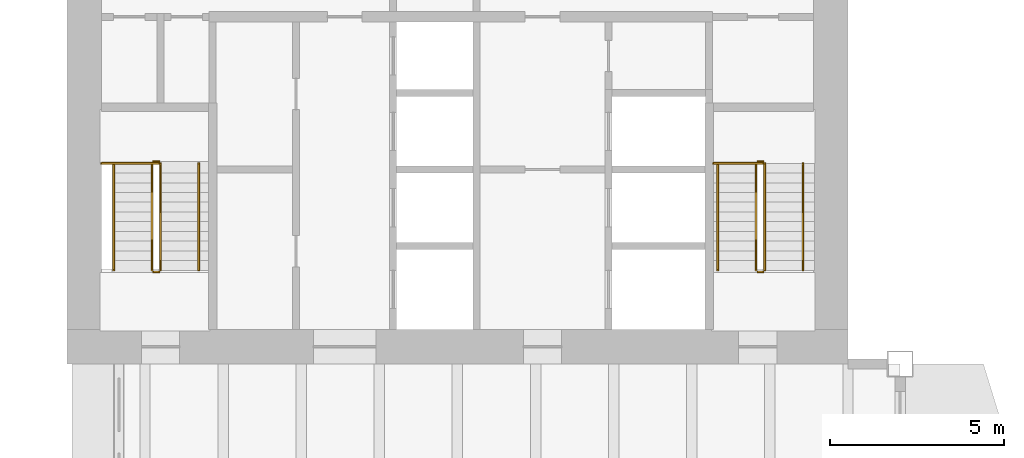
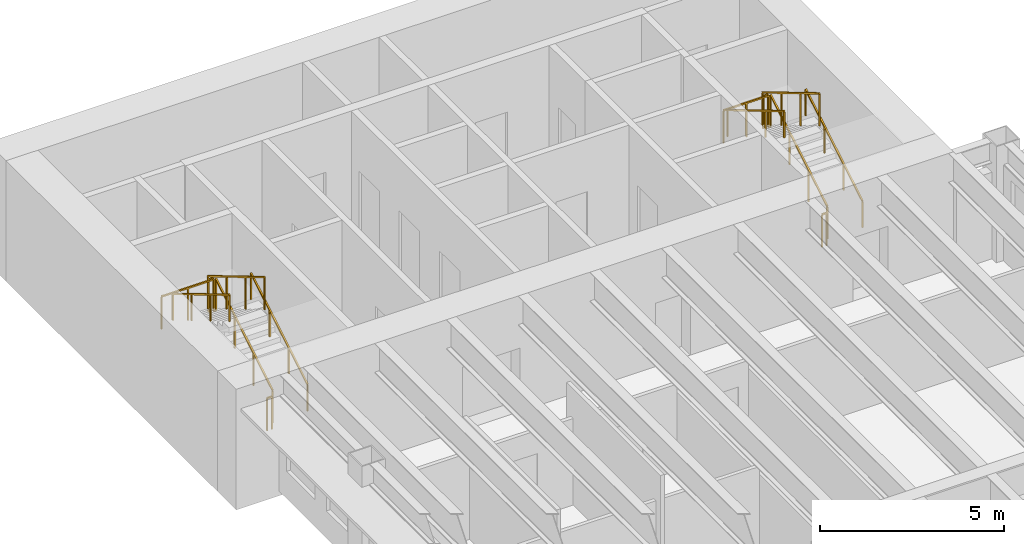
# One storey, part 16 of 16: 14 railings.
"""IFC4 building model written with IfcOpenShell, lengths in metres."""

from ifc_helpers import new_model, si_unit, direction, frame, origin, origin_2d, place, context, subcontext, project, spatial, rectangle, extrude, material, type_object, element, save


model = new_model("IFC4")

# Units and contexts
model_context = context("Model", 3, precision=1e-05, world=origin(), true_north=direction((0.0, 1.0)))
body_context = subcontext(model_context, "Body", "Model", "MODEL_VIEW")
ifc_project = project(units=[si_unit("LENGTHUNIT", "METRE"), si_unit("AREAUNIT", "SQUARE_METRE"), si_unit("VOLUMEUNIT", "CUBIC_METRE"), si_unit("PLANEANGLEUNIT", "RADIAN"), si_unit("MASSUNIT", "GRAM", prefix="KILO")], contexts=[model_context])

# Site, building, storey
site_placement = place(None, origin())
site = spatial("IfcSite", under=ifc_project, at=site_placement, CompositionType="ELEMENT")
building_placement = place(site_placement, origin())
building = spatial("IfcBuilding", under=site, at=building_placement, Name="Sennacour Bend Tower", CompositionType="ELEMENT")
storey_placement = place(building_placement, frame((0.0, 0.0, 207.0)))
storey = spatial("IfcBuildingStorey", under=building, at=storey_placement, Name="L47", CompositionType="ELEMENT", Elevation=207.0)

# Railings
ifc_material = material(Name="Stainless steel", Category="steel")
railing_type_1 = type_object("IfcRailingType", Name="RL-GUARD-1100", PredefinedType="GUARDRAIL", material=ifc_material)
railing_1_placement = place(storey_placement, frame((2.699951171875, 38.699951171875, 0.166748046875)))
element("IfcRailing", 1, at=railing_1_placement, inside=storey, type_object=railing_type_1, Name="L47 SB1 stair guard 1", PredefinedType="GUARDRAIL", context=body_context, shape_type="SweptSolid", body=[
    extrude(rectangle(XDim=0.048095703125, YDim=0.048095703125, at=origin_2d()), frame((0.0, 0.0, 1.076171875), z_axis=(0.0, 0.859308565015, 0.511457515432), x_axis=(-1.0, 0.0, 0.0)), (0.0, 0.0, 1.0), 3.58447265625),
    extrude(rectangle(XDim=0.0419921875, YDim=0.0419921875, at=origin_2d()), origin(), (0.0, 0.0, 1.0), 1.052001953125),
    extrude(rectangle(XDim=0.0419921875, YDim=0.0419921875, at=origin_2d()), frame((0.0, 1.026611328125, 0.611083984375)), (0.0, 0.0, 1.0), 1.052001953125),
    extrude(rectangle(XDim=0.0419921875, YDim=0.0419921875, at=origin_2d()), frame((0.0, 2.053466796875, 1.22216796875)), (0.0, 0.0, 1.0), 1.052001953125),
    extrude(rectangle(XDim=0.0419921875, YDim=0.0419921875, at=origin_2d()), frame((0.0, 3.080078125, 1.833251953125)), (0.0, 0.0, 1.0), 1.052001953125),
])
railing_2_placement = place(storey_placement, frame((2.64990234375, 41.830078125, 2.0)))
element("IfcRailing", 2, at=railing_2_placement, inside=storey, type_object=railing_type_1, Name="L47 SB1 stair guard 2", PredefinedType="GUARDRAIL", context=body_context, shape_type="SweptSolid", body=[
    extrude(rectangle(XDim=0.048095703125, YDim=0.048095703125, at=origin_2d()), frame((0.0, 0.0, 1.076171875), z_axis=(-1.0, 0.0, 0.0), x_axis=(0.0, -1.0, 0.0)), (0.0, 0.0, 1.0), 0.14990234375),
    extrude(rectangle(XDim=0.0419921875, YDim=0.0419921875, at=origin_2d()), origin(), (0.0, 0.0, 1.0), 1.052001953125),
    extrude(rectangle(XDim=0.0419921875, YDim=0.0419921875, at=origin_2d()), frame((-0.14990234375, 0.0, 0.0)), (0.0, 0.0, 1.0), 1.052001953125),
])
railing_3_placement = place(storey_placement, frame((2.449951171875, 41.780029296875, 2.166748046875)))
element("IfcRailing", 3, at=railing_3_placement, inside=storey, type_object=railing_type_1, Name="L47 SB1 stair guard 4", PredefinedType="GUARDRAIL", context=body_context, shape_type="SweptSolid", body=[
    extrude(rectangle(XDim=0.048095703125, YDim=0.048095703125, at=origin_2d()), frame((0.0, 0.0, 1.076171875), z_axis=(0.0, -0.859308565015, 0.511457515432), x_axis=(1.0, 0.0, 0.0)), (0.0, 0.0, 1.0), 3.58447265625),
    extrude(rectangle(XDim=0.0419921875, YDim=0.0419921875, at=origin_2d()), origin(), (0.0, 0.0, 1.0), 1.052001953125),
    extrude(rectangle(XDim=0.0419921875, YDim=0.0419921875, at=origin_2d()), frame((0.0, -1.026611328125, 0.611083984375)), (0.0, 0.0, 1.0), 1.052001953125),
    extrude(rectangle(XDim=0.0419921875, YDim=0.0419921875, at=origin_2d()), frame((0.0, -2.053466796875, 1.22216796875)), (0.0, 0.0, 1.0), 1.052001953125),
    extrude(rectangle(XDim=0.0419921875, YDim=0.0419921875, at=origin_2d()), frame((0.0, -3.080078125, 1.833251953125)), (0.0, 0.0, 1.0), 1.052001953125),
])
railing_4_placement = place(storey_placement, frame((2.64990234375, 38.64990234375, 0.0)))
element("IfcRailing", 4, at=railing_4_placement, inside=storey, type_object=railing_type_1, Name="L47 SB1 stair guard 5", PredefinedType="GUARDRAIL", context=body_context, shape_type="SweptSolid", body=[
    extrude(rectangle(XDim=0.048095703125, YDim=0.048095703125, at=origin_2d()), frame((0.0, 0.0, 1.076171875), z_axis=(-1.0, 0.0, 0.0), x_axis=(0.0, -1.0, 0.0)), (0.0, 0.0, 1.0), 0.14990234375),
    extrude(rectangle(XDim=0.0419921875, YDim=0.0419921875, at=origin_2d()), origin(), (0.0, 0.0, 1.0), 1.052001953125),
    extrude(rectangle(XDim=0.0419921875, YDim=0.0419921875, at=origin_2d()), frame((-0.14990234375, 0.0, 0.0)), (0.0, 0.0, 1.0), 1.052001953125),
])
railing_5_placement = place(storey_placement, frame((2.64990234375, 41.780029296875, 2.0)))
element("IfcRailing", 5, at=railing_5_placement, inside=storey, type_object=railing_type_1, Name="L47 SB1 landing edge guard 75", PredefinedType="GUARDRAIL", context=body_context, shape_type="SweptSolid", body=[
    extrude(rectangle(XDim=0.048095703125, YDim=0.048095703125, at=origin_2d()), frame((0.0, 0.0, 1.076171875), z_axis=(-1.0, 0.0, 0.0), x_axis=(0.0, -1.0, 0.0)), (0.0, 0.0, 1.0), 1.64990234375),
    extrude(rectangle(XDim=0.0419921875, YDim=0.0419921875, at=origin_2d()), origin(), (0.0, 0.0, 1.0), 1.052001953125),
    extrude(rectangle(XDim=0.0419921875, YDim=0.0419921875, at=origin_2d()), frame((-0.824951171875, 0.0, 0.0)), (0.0, 0.0, 1.0), 1.052001953125),
    extrude(rectangle(XDim=0.0419921875, YDim=0.0419921875, at=origin_2d()), frame((-1.64990234375, 0.0, 0.0)), (0.0, 0.0, 1.0), 1.052001953125),
])
railing_6_placement = place(storey_placement, frame((20.10009765625, 38.699951171875, 0.166748046875)))
element("IfcRailing", 6, at=railing_6_placement, inside=storey, type_object=railing_type_1, Name="L47 SB2 stair guard 1", PredefinedType="GUARDRAIL", context=body_context, shape_type="SweptSolid", body=[
    extrude(rectangle(XDim=0.048095703125, YDim=0.048095703125, at=origin_2d()), frame((0.0, 0.0, 1.076171875), z_axis=(0.0, 0.859308565015, 0.511457515432), x_axis=(-1.0, 0.0, 0.0)), (0.0, 0.0, 1.0), 3.58447265625),
    extrude(rectangle(XDim=0.0419921875, YDim=0.0419921875, at=origin_2d()), origin(), (0.0, 0.0, 1.0), 1.052001953125),
    extrude(rectangle(XDim=0.0419921875, YDim=0.0419921875, at=origin_2d()), frame((0.0, 1.026611328125, 0.611083984375)), (0.0, 0.0, 1.0), 1.052001953125),
    extrude(rectangle(XDim=0.0419921875, YDim=0.0419921875, at=origin_2d()), frame((0.0, 2.053466796875, 1.22216796875)), (0.0, 0.0, 1.0), 1.052001953125),
    extrude(rectangle(XDim=0.0419921875, YDim=0.0419921875, at=origin_2d()), frame((0.0, 3.080078125, 1.833251953125)), (0.0, 0.0, 1.0), 1.052001953125),
])
railing_7_placement = place(storey_placement, frame((20.050048828125, 41.830078125, 2.0)))
element("IfcRailing", 7, at=railing_7_placement, inside=storey, type_object=railing_type_1, Name="L47 SB2 stair guard 2", PredefinedType="GUARDRAIL", context=body_context, shape_type="SweptSolid", body=[
    extrude(rectangle(XDim=0.048095703125, YDim=0.048095703125, at=origin_2d()), frame((0.0, 0.0, 1.076171875), z_axis=(-1.0, 0.0, 0.0), x_axis=(0.0, -1.0, 0.0)), (0.0, 0.0, 1.0), 0.150146484375),
    extrude(rectangle(XDim=0.0419921875, YDim=0.0419921875, at=origin_2d()), origin(), (0.0, 0.0, 1.0), 1.052001953125),
    extrude(rectangle(XDim=0.0419921875, YDim=0.0419921875, at=origin_2d()), frame((-0.150146484375, 0.0, 0.0)), (0.0, 0.0, 1.0), 1.052001953125),
])
railing_8_placement = place(storey_placement, frame((19.85009765625, 41.780029296875, 2.166748046875)))
element("IfcRailing", 8, at=railing_8_placement, inside=storey, type_object=railing_type_1, Name="L47 SB2 stair guard 4", PredefinedType="GUARDRAIL", context=body_context, shape_type="SweptSolid", body=[
    extrude(rectangle(XDim=0.048095703125, YDim=0.048095703125, at=origin_2d()), frame((0.0, 0.0, 1.076171875), z_axis=(0.0, -0.859308565015, 0.511457515432), x_axis=(1.0, 0.0, 0.0)), (0.0, 0.0, 1.0), 3.58447265625),
    extrude(rectangle(XDim=0.0419921875, YDim=0.0419921875, at=origin_2d()), origin(), (0.0, 0.0, 1.0), 1.052001953125),
    extrude(rectangle(XDim=0.0419921875, YDim=0.0419921875, at=origin_2d()), frame((0.0, -1.026611328125, 0.611083984375)), (0.0, 0.0, 1.0), 1.052001953125),
    extrude(rectangle(XDim=0.0419921875, YDim=0.0419921875, at=origin_2d()), frame((0.0, -2.053466796875, 1.22216796875)), (0.0, 0.0, 1.0), 1.052001953125),
    extrude(rectangle(XDim=0.0419921875, YDim=0.0419921875, at=origin_2d()), frame((0.0, -3.080078125, 1.833251953125)), (0.0, 0.0, 1.0), 1.052001953125),
])
railing_9_placement = place(storey_placement, frame((20.050048828125, 38.64990234375, 0.0)))
element("IfcRailing", 9, at=railing_9_placement, inside=storey, type_object=railing_type_1, Name="L47 SB2 stair guard 5", PredefinedType="GUARDRAIL", context=body_context, shape_type="SweptSolid", body=[
    extrude(rectangle(XDim=0.048095703125, YDim=0.048095703125, at=origin_2d()), frame((0.0, 0.0, 1.076171875), z_axis=(-1.0, 0.0, 0.0), x_axis=(0.0, -1.0, 0.0)), (0.0, 0.0, 1.0), 0.150146484375),
    extrude(rectangle(XDim=0.0419921875, YDim=0.0419921875, at=origin_2d()), origin(), (0.0, 0.0, 1.0), 1.052001953125),
    extrude(rectangle(XDim=0.0419921875, YDim=0.0419921875, at=origin_2d()), frame((-0.150146484375, 0.0, 0.0)), (0.0, 0.0, 1.0), 1.052001953125),
])
railing_10_placement = place(storey_placement, frame((20.050048828125, 41.780029296875, 2.0)))
element("IfcRailing", 10, at=railing_10_placement, inside=storey, type_object=railing_type_1, Name="L47 SB2 landing edge guard 64", PredefinedType="GUARDRAIL", context=body_context, shape_type="SweptSolid", body=[
    extrude(rectangle(XDim=0.048095703125, YDim=0.048095703125, at=origin_2d()), frame((0.0, 0.0, 1.076171875), z_axis=(-1.0, 0.0, 0.0), x_axis=(0.0, -1.0, 0.0)), (0.0, 0.0, 1.0), 1.425048828125),
    extrude(rectangle(XDim=0.0419921875, YDim=0.0419921875, at=origin_2d()), origin(), (0.0, 0.0, 1.0), 1.052001953125),
    extrude(rectangle(XDim=0.0419921875, YDim=0.0419921875, at=origin_2d()), frame((-0.71240234375, 0.0, 0.0)), (0.0, 0.0, 1.0), 1.052001953125),
    extrude(rectangle(XDim=0.0419921875, YDim=0.0419921875, at=origin_2d()), frame((-1.425048828125, 0.0, 0.0)), (0.0, 0.0, 1.0), 1.052001953125),
])
railing_type_2 = type_object("IfcRailingType", Name="RL-HANDRAIL-900", PredefinedType="HANDRAIL", material=ifc_material)
railing_11_placement = place(storey_placement, frame((3.800048828125, 38.699951171875, 0.166748046875)))
element("IfcRailing", 11, at=railing_11_placement, inside=storey, type_object=railing_type_2, Name="L47 SB1 stair handrail 1", PredefinedType="HANDRAIL", context=body_context, shape_type="SweptSolid", body=[
    extrude(rectangle(XDim=0.048095703125, YDim=0.048095703125, at=origin_2d()), frame((0.0, 0.0, 0.8759765625), z_axis=(0.0, 0.859308565015, 0.511457515432), x_axis=(-1.0, 0.0, 0.0)), (0.0, 0.0, 1.0), 3.58447265625),
    extrude(rectangle(XDim=0.0419921875, YDim=0.0419921875, at=origin_2d()), origin(), (0.0, 0.0, 1.0), 0.851806640625),
    extrude(rectangle(XDim=0.0419921875, YDim=0.0419921875, at=origin_2d()), frame((0.0, 1.026611328125, 0.611083984375)), (0.0, 0.0, 1.0), 0.851806640625),
    extrude(rectangle(XDim=0.0419921875, YDim=0.0419921875, at=origin_2d()), frame((0.0, 2.053466796875, 1.22216796875)), (0.0, 0.0, 1.0), 0.851806640625),
    extrude(rectangle(XDim=0.0419921875, YDim=0.0419921875, at=origin_2d()), frame((0.0, 3.080078125, 1.833251953125)), (0.0, 0.0, 1.0), 0.851806640625),
])
railing_12_placement = place(storey_placement, frame((1.35009765625, 41.780029296875, 2.166748046875)))
element("IfcRailing", 12, at=railing_12_placement, inside=storey, type_object=railing_type_2, Name="L47 SB1 stair handrail 2", PredefinedType="HANDRAIL", context=body_context, shape_type="SweptSolid", body=[
    extrude(rectangle(XDim=0.048095703125, YDim=0.048095703125, at=origin_2d()), frame((0.0, 0.0, 0.8759765625), z_axis=(0.0, -0.859308565015, 0.511457515432), x_axis=(1.0, 0.0, 0.0)), (0.0, 0.0, 1.0), 3.58447265625),
    extrude(rectangle(XDim=0.0419921875, YDim=0.0419921875, at=origin_2d()), origin(), (0.0, 0.0, 1.0), 0.851806640625),
    extrude(rectangle(XDim=0.0419921875, YDim=0.0419921875, at=origin_2d()), frame((0.0, -1.026611328125, 0.611083984375)), (0.0, 0.0, 1.0), 0.851806640625),
    extrude(rectangle(XDim=0.0419921875, YDim=0.0419921875, at=origin_2d()), frame((0.0, -2.053466796875, 1.22216796875)), (0.0, 0.0, 1.0), 0.851806640625),
    extrude(rectangle(XDim=0.0419921875, YDim=0.0419921875, at=origin_2d()), frame((0.0, -3.080078125, 1.833251953125)), (0.0, 0.0, 1.0), 0.851806640625),
])
railing_13_placement = place(storey_placement, frame((21.199951171875, 38.699951171875, 0.166748046875)))
element("IfcRailing", 13, at=railing_13_placement, inside=storey, type_object=railing_type_2, Name="L47 SB2 stair handrail 1", PredefinedType="HANDRAIL", context=body_context, shape_type="SweptSolid", body=[
    extrude(rectangle(XDim=0.048095703125, YDim=0.048095703125, at=origin_2d()), frame((0.0, 0.0, 0.8759765625), z_axis=(0.0, 0.859308565015, 0.511457515432), x_axis=(-1.0, 0.0, 0.0)), (0.0, 0.0, 1.0), 3.58447265625),
    extrude(rectangle(XDim=0.0419921875, YDim=0.0419921875, at=origin_2d()), origin(), (0.0, 0.0, 1.0), 0.851806640625),
    extrude(rectangle(XDim=0.0419921875, YDim=0.0419921875, at=origin_2d()), frame((0.0, 1.026611328125, 0.611083984375)), (0.0, 0.0, 1.0), 0.851806640625),
    extrude(rectangle(XDim=0.0419921875, YDim=0.0419921875, at=origin_2d()), frame((0.0, 2.053466796875, 1.22216796875)), (0.0, 0.0, 1.0), 0.851806640625),
    extrude(rectangle(XDim=0.0419921875, YDim=0.0419921875, at=origin_2d()), frame((0.0, 3.080078125, 1.833251953125)), (0.0, 0.0, 1.0), 0.851806640625),
])
railing_14_placement = place(storey_placement, frame((18.75, 41.780029296875, 2.166748046875)))
element("IfcRailing", 14, at=railing_14_placement, inside=storey, type_object=railing_type_2, Name="L47 SB2 stair handrail 2", PredefinedType="HANDRAIL", context=body_context, shape_type="SweptSolid", body=[
    extrude(rectangle(XDim=0.048095703125, YDim=0.048095703125, at=origin_2d()), frame((0.0, 0.0, 0.8759765625), z_axis=(0.0, -0.859308565015, 0.511457515432), x_axis=(1.0, 0.0, 0.0)), (0.0, 0.0, 1.0), 3.58447265625),
    extrude(rectangle(XDim=0.0419921875, YDim=0.0419921875, at=origin_2d()), origin(), (0.0, 0.0, 1.0), 0.851806640625),
    extrude(rectangle(XDim=0.0419921875, YDim=0.0419921875, at=origin_2d()), frame((0.0, -1.026611328125, 0.611083984375)), (0.0, 0.0, 1.0), 0.851806640625),
    extrude(rectangle(XDim=0.0419921875, YDim=0.0419921875, at=origin_2d()), frame((0.0, -2.053466796875, 1.22216796875)), (0.0, 0.0, 1.0), 0.851806640625),
    extrude(rectangle(XDim=0.0419921875, YDim=0.0419921875, at=origin_2d()), frame((0.0, -3.080078125, 1.833251953125)), (0.0, 0.0, 1.0), 0.851806640625),
])

save(model, "model.ifc")
